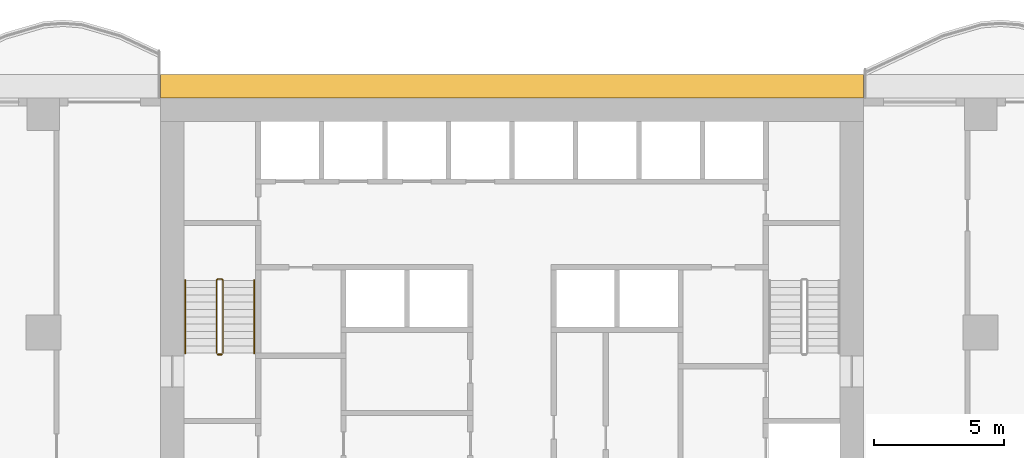
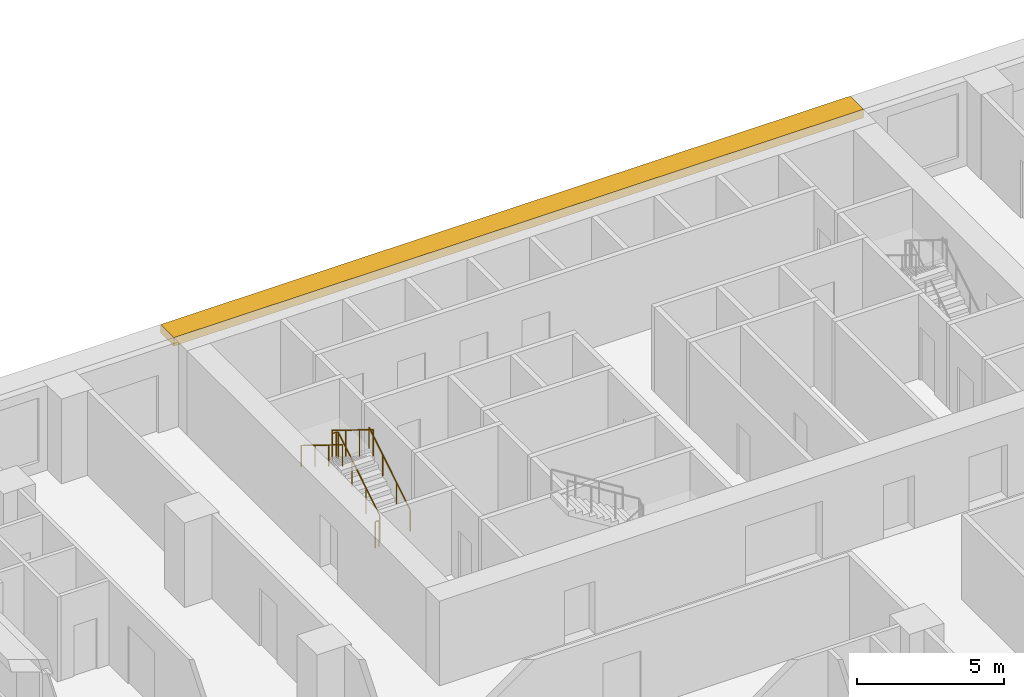
# One storey, part 12 of 14: 4 railings, 1 shading device.
"""IFC4 building model written with IfcOpenShell, lengths in metres."""

from ifc_helpers import new_model, si_unit, direction, frame, origin, origin_2d, place, context, subcontext, project, spatial, polyline, circle, outline, extrude, material, layer, layer_set, type_object, element, save


model = new_model("IFC4")

# Units and contexts
model_context = context("Model", 3, precision=1e-05, world=origin(), true_north=direction((0.0, 1.0)))
body_context = subcontext(model_context, "Body", "Model", "MODEL_VIEW")
ifc_project = project(units=[si_unit("LENGTHUNIT", "METRE"), si_unit("AREAUNIT", "SQUARE_METRE"), si_unit("VOLUMEUNIT", "CUBIC_METRE"), si_unit("PLANEANGLEUNIT", "RADIAN"), si_unit("MASSUNIT", "GRAM", prefix="KILO")], contexts=[model_context])

# Site, building, storey
site_placement = place(None, origin())
site = spatial("IfcSite", under=ifc_project, at=site_placement, CompositionType="ELEMENT")
building_placement = place(site_placement, origin())
building = spatial("IfcBuilding", under=site, at=building_placement, Name="Orbiselva Terraces", CompositionType="ELEMENT")
storey_placement = place(building_placement, frame((0.0, 0.0, 107.4)))
storey = spatial("IfcBuildingStorey", under=building, at=storey_placement, Name="L27", CompositionType="ELEMENT", Elevation=107.4)

# Railings
ifc_material_1 = material(Name="Stainless steel", Category="steel")
railing_type_1 = type_object("IfcRailingType", Name="CORE-GUARD-1100", PredefinedType="GUARDRAIL", material=ifc_material_1)
railing_1_placement = place(storey_placement, frame((-11.1, 12.7, 0.172727)))
element("IfcRailing", 1, at=railing_1_placement, inside=storey, type_object=railing_type_1, Name="L27 S1 stair guard 1", PredefinedType="GUARDRAIL", context=body_context, shape_type="SweptSolid", body=[
    extrude(circle(Radius=0.024, at=origin_2d()), frame((0.0, 0.0, 1.081), z_axis=(0.0, 0.851088519012, 0.52502222125), x_axis=(-1.0, 0.0, 0.0)), (0.0, 0.0, 1.0), 3.289905),
    extrude(circle(Radius=0.024, at=origin_2d()), frame((0.0, 2.8, 2.808273), z_axis=(-0.707106781187, 0.707106781187, 0.0), x_axis=(-0.707106781187, -0.707106781187, 0.0)), (0.0, 0.0, 1.0), 0.070711),
    extrude(circle(Radius=0.024, at=origin_2d()), frame((-0.05, 2.85, 2.808273), z_axis=(-1.0, 0.0, 0.0), x_axis=(0.0, -1.0, 0.0)), (0.0, 0.0, 1.0), 0.15),
    extrude(circle(Radius=0.024, at=origin_2d()), frame((-0.2, 2.85, 2.808273), z_axis=(-0.267894925557, -0.267894925557, 0.925453736133), x_axis=(0.707106781187, -0.707106781187, 0.0)), (0.0, 0.0, 1.0), 0.18664),
    extrude(circle(Radius=0.024, at=origin_2d()), frame((-0.25, 2.8, 2.981), z_axis=(0.0, -0.851088519012, 0.52502222125), x_axis=(1.0, 0.0, 0.0)), (0.0, 0.0, 1.0), 3.289905),
    extrude(circle(Radius=0.021, at=origin_2d()), origin(), (0.0, 0.0, 1.0), 1.057),
    extrude(circle(Radius=0.021, at=origin_2d()), frame((0.0, 0.933333, 0.575758)), (0.0, 0.0, 1.0), 1.057),
    extrude(circle(Radius=0.021, at=origin_2d()), frame((0.0, 1.866667, 1.151515)), (0.0, 0.0, 1.0), 1.057),
    extrude(circle(Radius=0.021, at=origin_2d()), frame((0.0, 2.8, 1.727273)), (0.0, 0.0, 1.0), 1.057),
    extrude(circle(Radius=0.021, at=origin_2d()), frame((-0.05, 2.85, 1.727273)), (0.0, 0.0, 1.0), 1.057),
    extrude(circle(Radius=0.021, at=origin_2d()), frame((-0.2, 2.85, 1.727273)), (0.0, 0.0, 1.0), 1.057),
    extrude(circle(Radius=0.021, at=origin_2d()), frame((-0.25, 2.8, 1.9)), (0.0, 0.0, 1.0), 1.057),
    extrude(circle(Radius=0.021, at=origin_2d()), frame((-0.25, 1.866667, 2.475758)), (0.0, 0.0, 1.0), 1.057),
    extrude(circle(Radius=0.021, at=origin_2d()), frame((-0.25, 0.933333, 3.051515)), (0.0, 0.0, 1.0), 1.057),
    extrude(circle(Radius=0.021, at=origin_2d()), frame((-0.25, 0.0, 3.627273)), (0.0, 0.0, 1.0), 1.057),
])
railing_2_placement = place(storey_placement, frame((-11.15, 12.65, 0.0)))
element("IfcRailing", 2, at=railing_2_placement, inside=storey, type_object=railing_type_1, Name="L27 S1 stair guard 2", PredefinedType="GUARDRAIL", context=body_context, shape_type="SweptSolid", body=[
    extrude(circle(Radius=0.024, at=origin_2d()), frame((0.0, 0.0, 1.081), z_axis=(-1.0, 0.0, 0.0), x_axis=(0.0, -1.0, 0.0)), (0.0, 0.0, 1.0), 0.15),
    extrude(circle(Radius=0.021, at=origin_2d()), origin(), (0.0, 0.0, 1.0), 1.057),
    extrude(circle(Radius=0.021, at=origin_2d()), frame((-0.15, 0.0, 0.0)), (0.0, 0.0, 1.0), 1.057),
])
railing_type_2 = type_object("IfcRailingType", Name="CORE-HANDRAIL-900", PredefinedType="HANDRAIL", material=ifc_material_1)
railing_3_placement = place(storey_placement, frame((-9.9, 12.7, 0.172727)))
element("IfcRailing", 3, at=railing_3_placement, inside=storey, type_object=railing_type_2, Name="L27 S1 stair handrail 1", PredefinedType="HANDRAIL", context=body_context, shape_type="SweptSolid", body=[
    extrude(circle(Radius=0.024, at=origin_2d()), frame((0.0, 0.0, 0.876), z_axis=(0.0, 0.851088519012, 0.52502222125), x_axis=(-1.0, 0.0, 0.0)), (0.0, 0.0, 1.0), 3.289905),
    extrude(circle(Radius=0.021, at=origin_2d()), origin(), (0.0, 0.0, 1.0), 0.852),
    extrude(circle(Radius=0.021, at=origin_2d()), frame((0.0, 0.933333, 0.575758)), (0.0, 0.0, 1.0), 0.852),
    extrude(circle(Radius=0.021, at=origin_2d()), frame((0.0, 1.866667, 1.151515)), (0.0, 0.0, 1.0), 0.852),
    extrude(circle(Radius=0.021, at=origin_2d()), frame((0.0, 2.8, 1.727273)), (0.0, 0.0, 1.0), 0.852),
])
railing_4_placement = place(storey_placement, frame((-12.55, 15.5, 2.072727)))
element("IfcRailing", 4, at=railing_4_placement, inside=storey, type_object=railing_type_2, Name="L27 S1 stair handrail 2", PredefinedType="HANDRAIL", context=body_context, shape_type="SweptSolid", body=[
    extrude(circle(Radius=0.024, at=origin_2d()), frame((0.0, 0.0, 0.876), z_axis=(0.0, -0.851088519012, 0.52502222125), x_axis=(1.0, 0.0, 0.0)), (0.0, 0.0, 1.0), 3.289905),
    extrude(circle(Radius=0.021, at=origin_2d()), origin(), (0.0, 0.0, 1.0), 0.852),
    extrude(circle(Radius=0.021, at=origin_2d()), frame((0.0, -0.933333, 0.575758)), (0.0, 0.0, 1.0), 0.852),
    extrude(circle(Radius=0.021, at=origin_2d()), frame((0.0, -1.866667, 1.151515)), (0.0, 0.0, 1.0), 0.852),
    extrude(circle(Radius=0.021, at=origin_2d()), frame((0.0, -2.8, 1.727273)), (0.0, 0.0, 1.0), 0.852),
])

# Shading device
ifc_material_2 = material(Name="Terracotta baguette sunshade", Category="masonry")
ifc_layer = layer(ifc_material_2, 0.35)
ifc_layer_set = layer_set([ifc_layer], Name="Terracotta baguette sunshade")
shading_device_type = type_object("IfcShadingDeviceType", Name="ENV-SUNSHADE-900x350", PredefinedType="USERDEFINED", material=ifc_layer_set)
shading_device_placement = place(storey_placement, frame((0.0, 0.0, 3.15)))
element("IfcShadingDevice", 5, at=shading_device_placement, inside=storey, type_object=shading_device_type, Name="Sunshade band L27 CORE NORTH", ObjectType="SUNSHADE", PredefinedType="USERDEFINED", context=body_context, shape_type="SweptSolid", body=[
    extrude(outline(polyline([(13.5, 23.4), (-13.5, 23.4), (-13.5, 22.5), (13.5, 22.5), (13.5, 23.4)])), origin(), (0.0, 0.0, 1.0), 0.35),
])

save(model, "model.ifc")
